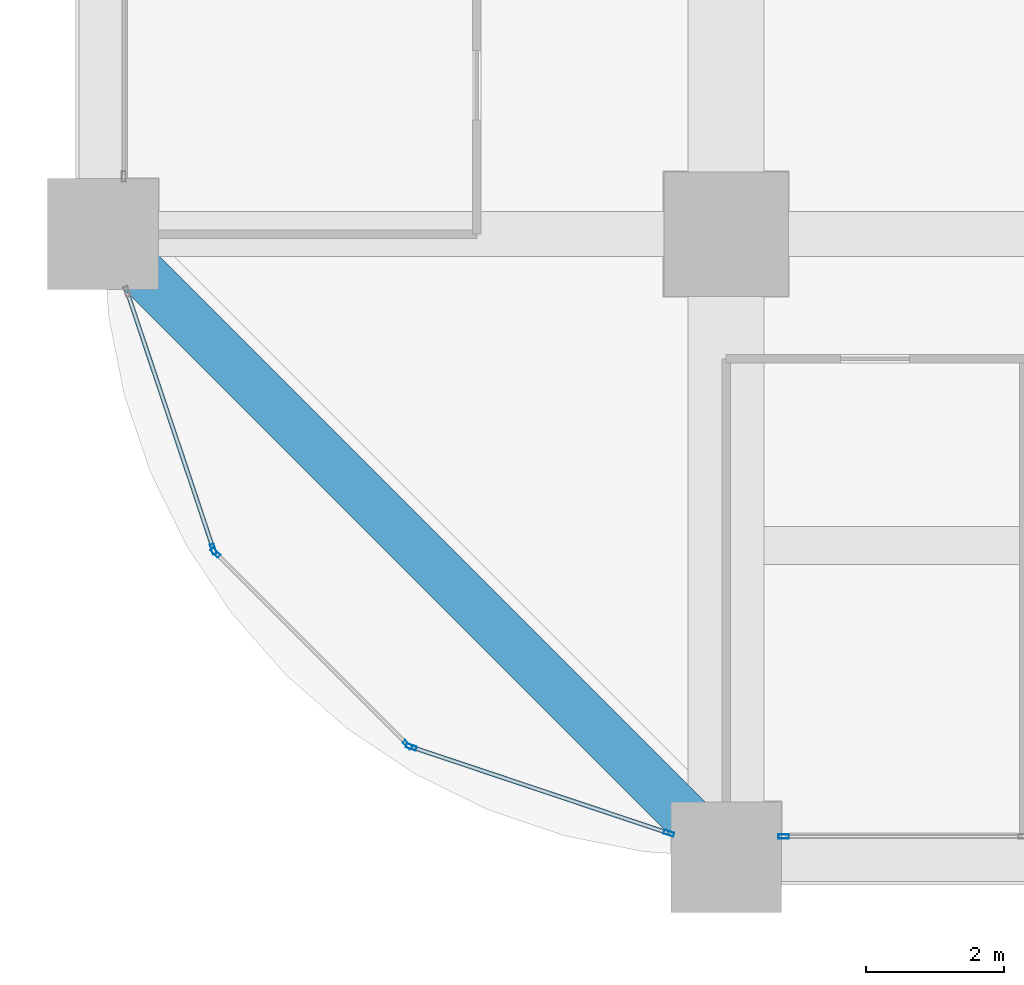
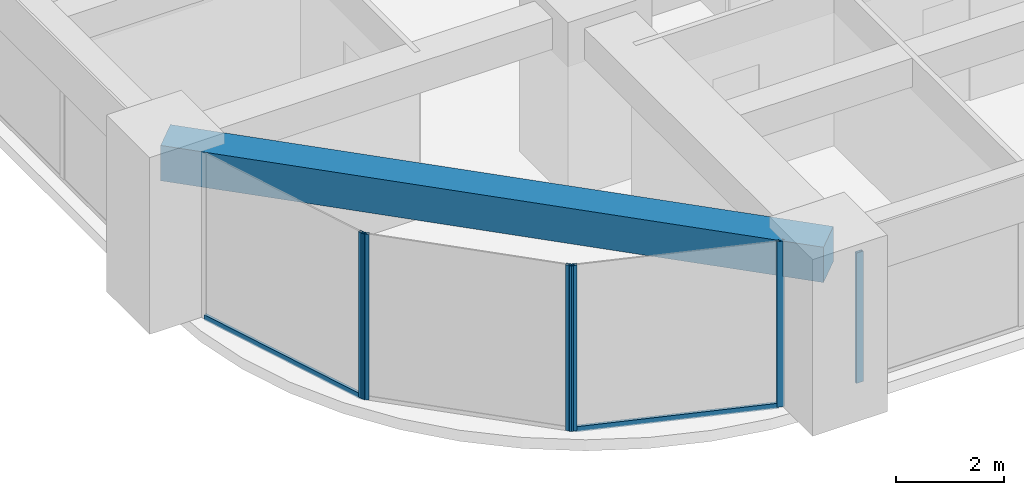
# One storey, part 2 of 41: 8 members, 1 beam, 4 elements without a shape of their own.
"""IFC4 building model written with IfcOpenShell, lengths in metres."""

from ifc_helpers import new_model, si_unit, direction, frame, origin, origin_2d, place, context, subcontext, project, spatial, rectangle, hollow_rectangle, extrude, material, material_profile, profile_set, type_object, element, aggregate, save


model = new_model("IFC4")

# Units and contexts
model_context = context("Model", 3, precision=1e-05, world=origin(), true_north=direction((0.0, 1.0)))
body_context = subcontext(model_context, "Body", "Model", "MODEL_VIEW")
ifc_project = project(units=[si_unit("LENGTHUNIT", "METRE"), si_unit("AREAUNIT", "SQUARE_METRE"), si_unit("VOLUMEUNIT", "CUBIC_METRE"), si_unit("PLANEANGLEUNIT", "RADIAN"), si_unit("MASSUNIT", "GRAM", prefix="KILO")], contexts=[model_context])

# Site, building, storey
site_placement = place(None, origin())
site = spatial("IfcSite", under=ifc_project, at=site_placement, CompositionType="ELEMENT")
building_placement = place(site_placement, origin())
building = spatial("IfcBuilding", under=site, at=building_placement, Name="Zorevar Civic Tower", CompositionType="ELEMENT")
storey_placement = place(building_placement, frame((0.0, 0.0, 137.0)))
storey = spatial("IfcBuildingStorey", under=building, at=storey_placement, Name="L33", CompositionType="ELEMENT", Elevation=137.0)

# Curtain wall, member
ifc_material_1 = material(Name="Dark grey solar-control glass in black aluminium frame", Category="aluminium")
curtain_wall_type = type_object("IfcCurtainWallType", Name="Curtain wall CW3 mid zone", PredefinedType="NOTDEFINED", material=ifc_material_1)
curtain_wall_1_placement = place(storey_placement, origin())
curtain_wall_1 = element("IfcCurtainWall", 1, at=curtain_wall_1_placement, inside=storey, type_object=curtain_wall_type, Name="CW3 L33", PredefinedType="NOTDEFINED")
ifc_material_2 = material(Name="Aluminium, black anodised", Category="aluminium")
ifc_material_profile_1 = material_profile(ifc_material_2, hollow_rectangle(XDim=0.06005859375, YDim=0.14990234375, WallThickness=0.00390625, at=origin_2d()), Name="AL 150x60x4")
ifc_profile_set_1 = profile_set([ifc_material_profile_1], Name="Aluminium, black anodised")
member_type_1 = type_object("IfcMemberType", Name="CW3 mullion AL 150x60x4", PredefinedType="MULLION", material=ifc_profile_set_1)
member_1_placement = place(storey_placement, frame((9.830078125, 0.300048828125, 0.0), z_axis=(0.0, 0.0, 1.0), x_axis=(0.0, 1.0, 0.0)))
member_1 = element("IfcMember", 2, at=member_1_placement, type_object=member_type_1, Name="CW3 mullion 1", PredefinedType="MULLION", context=body_context, shape_type="SweptSolid", body=[
    extrude(hollow_rectangle(XDim=0.06005859375, YDim=0.14990234375, WallThickness=0.00390625, at=origin_2d()), origin(), (0.0, 0.0, 1.0), 2.949951171875),
])
aggregate(curtain_wall_1, [member_1])

curtain_wall_2_placement = place(storey_placement, origin())
curtain_wall_2 = element("IfcCurtainWall", 3, at=curtain_wall_2_placement, inside=storey, type_object=curtain_wall_type, Name="CW3 L33", PredefinedType="NOTDEFINED")
member_2_placement = place(storey_placement, frame((1.59326171875, 4.44921875, 0.0), z_axis=(0.0, 0.0, 1.0), x_axis=(0.948227238701, 0.317592669603, 0.0)))
member_2 = element("IfcMember", 4, at=member_2_placement, type_object=member_type_1, Name="CW3 mullion 2", PredefinedType="MULLION", context=body_context, shape_type="SweptSolid", body=[
    extrude(hollow_rectangle(XDim=0.06005859375, YDim=0.14990234375, WallThickness=0.00390625, at=origin_2d()), origin(), (0.0, 0.0, 1.0), 3.75),
])

# Curtain wall, members
curtain_wall_3_placement = place(storey_placement, origin())
curtain_wall_3 = element("IfcCurtainWall", 5, at=curtain_wall_3_placement, inside=storey, type_object=curtain_wall_type, Name="CW3 L33", PredefinedType="NOTDEFINED")
member_3_placement = place(storey_placement, frame((1.6240234375, 4.399658203125, 0.0), z_axis=(0.0, 0.0, 1.0), x_axis=(0.707106781187, 0.707106781187, 0.0)))
member_3 = element("IfcMember", 6, at=member_3_placement, type_object=member_type_1, Name="CW3 mullion 1", PredefinedType="MULLION", context=body_context, shape_type="SweptSolid", body=[
    extrude(hollow_rectangle(XDim=0.06005859375, YDim=0.14990234375, WallThickness=0.00390625, at=origin_2d()), origin(), (0.0, 0.0, 1.0), 3.75),
])
member_4_placement = place(storey_placement, frame((4.399658203125, 1.6240234375, 0.0), z_axis=(0.0, 0.0, 1.0), x_axis=(0.707106781187, 0.707106781187, 0.0)))
member_4 = element("IfcMember", 7, at=member_4_placement, type_object=member_type_1, Name="CW3 mullion 2", PredefinedType="MULLION", context=body_context, shape_type="SweptSolid", body=[
    extrude(hollow_rectangle(XDim=0.06005859375, YDim=0.14990234375, WallThickness=0.00390625, at=origin_2d()), origin(), (0.0, 0.0, 1.0), 3.75),
])
aggregate(curtain_wall_3, [member_3, member_4])

curtain_wall_4_placement = place(storey_placement, origin())
curtain_wall_4 = element("IfcCurtainWall", 8, at=curtain_wall_4_placement, inside=storey, type_object=curtain_wall_type, Name="CW3 L33", PredefinedType="NOTDEFINED")
member_5_placement = place(storey_placement, frame((4.44921875, 1.59326171875, 0.0), z_axis=(0.0, 0.0, 1.0), x_axis=(0.317592669603, 0.948227238701, 0.0)))
member_5 = element("IfcMember", 9, at=member_5_placement, type_object=member_type_1, Name="CW3 mullion 1", PredefinedType="MULLION", context=body_context, shape_type="SweptSolid", body=[
    extrude(hollow_rectangle(XDim=0.06005859375, YDim=0.14990234375, WallThickness=0.00390625, at=origin_2d()), origin(), (0.0, 0.0, 1.0), 3.75),
])
member_6_placement = place(storey_placement, frame((8.171630859375, 0.346435546875, 0.0), z_axis=(0.0, 0.0, 1.0), x_axis=(0.317592669603, 0.948227238701, 0.0)))
member_6 = element("IfcMember", 10, at=member_6_placement, type_object=member_type_1, Name="CW3 mullion 2", PredefinedType="MULLION", context=body_context, shape_type="SweptSolid", body=[
    extrude(hollow_rectangle(XDim=0.06005859375, YDim=0.14990234375, WallThickness=0.00390625, at=origin_2d()), origin(), (0.0, 0.0, 1.0), 3.75),
])

# Member
ifc_material_3 = material(Name="Aluminium, black anodised", Category="aluminium")
ifc_material_profile_2 = material_profile(ifc_material_3, hollow_rectangle(XDim=0.06005859375, YDim=0.1201171875, WallThickness=0.0029296875, at=origin_2d()), Name="AL 120x60x3")
ifc_profile_set_2 = profile_set([ifc_material_profile_2], Name="Aluminium, black anodised")
member_type_2 = type_object("IfcMemberType", Name="CW3 transom AL 120x60x3", PredefinedType="USERDEFINED", material=ifc_profile_set_2)
member_7_placement = place(storey_placement, frame((0.35595703125, 8.14306640625, 0.030029296875), z_axis=(0.317629563458, -0.94821488093, 0.0), x_axis=(0.94821488093, 0.317629563458, 0.0)))
member_7 = element("IfcMember", 11, at=member_7_placement, type_object=member_type_2, Name="CW3 sill transom", ObjectType="TRANSOM", PredefinedType="USERDEFINED", context=body_context, shape_type="SweptSolid", body=[
    extrude(hollow_rectangle(XDim=0.06005859375, YDim=0.1201171875, WallThickness=0.0029296875, at=origin_2d()), origin(), (0.0, 0.0, 1.0), 3.865478515625),
])

aggregate(curtain_wall_2, [member_2, member_7])

member_8_placement = place(storey_placement, frame((4.477783203125, 1.583740234375, 0.030029296875), z_axis=(0.94821488093, -0.317629563458, 0.0), x_axis=(0.317629563458, 0.94821488093, 0.0)))
member_8 = element("IfcMember", 12, at=member_8_placement, type_object=member_type_2, Name="CW3 sill transom", ObjectType="TRANSOM", PredefinedType="USERDEFINED", context=body_context, shape_type="SweptSolid", body=[
    extrude(hollow_rectangle(XDim=0.06005859375, YDim=0.1201171875, WallThickness=0.0029296875, at=origin_2d()), origin(), (0.0, 0.0, 1.0), 3.865478515625),
])

aggregate(curtain_wall_4, [member_5, member_6, member_8])

# Beam
ifc_material_4 = material(Name="Concrete C50/60", Category="concrete")
ifc_material_profile_3 = material_profile(ifc_material_4, rectangle(XDim=0.699951171875, YDim=0.800048828125, at=origin_2d()), Name="RC 700x800")
ifc_profile_set_3 = profile_set([ifc_material_profile_3], Name="Concrete C50/60")
beam_type = type_object("IfcBeamType", Name="Edge beam RC 700x800", PredefinedType="SPANDREL", material=ifc_profile_set_3)
beam_placement = place(storey_placement, frame((0.0, 9.0, 3.35009765625), z_axis=(0.707106781187, -0.707106781187, 0.0), x_axis=(0.707106781187, 0.707106781187, 0.0)))
element("IfcBeam", 13, at=beam_placement, inside=storey, type_object=beam_type, Name="Corner edge beam L34", PredefinedType="SPANDREL", context=body_context, shape_type="SweptSolid", body=[
    extrude(rectangle(XDim=0.699951171875, YDim=0.800048828125, at=origin_2d()), origin(), (0.0, 0.0, 1.0), 12.72802734375),
])

save(model, "model.ifc")
